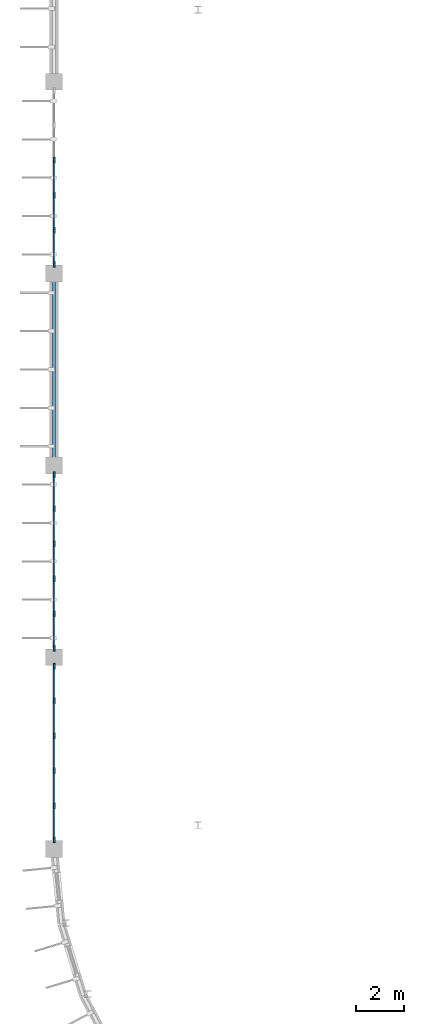
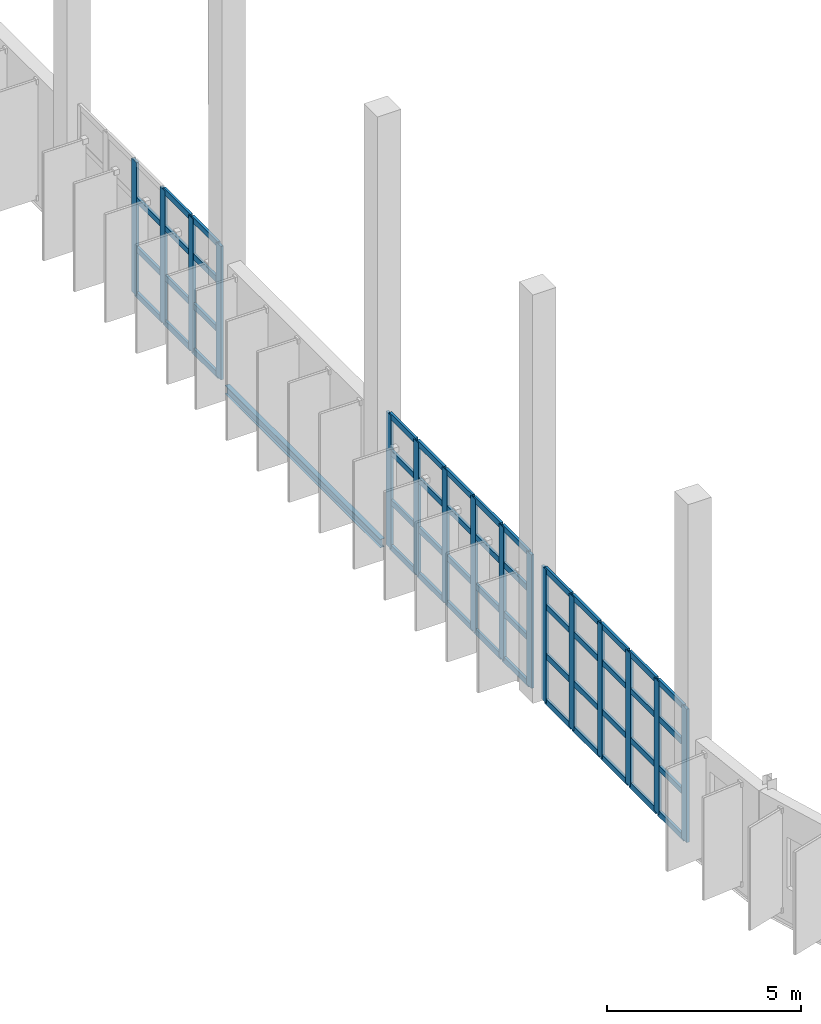
# One storey, part 10 of 66: 67 members, 1 beam, 3 elements without a shape of their own.
"""IFC4 building model written with IfcOpenShell, lengths in metres."""

import ifcopenshell
import ifcopenshell.guid

model = None  # the IFC model being written
_history = None  # IfcOwnerHistory: only IFC2X3 demands one
_inside = {}  # id of a spatial element -> (the spatial element, [elements in it])
_under = {}  # id of a project, library or spatial element -> (it, [spatial elements below it])
_declared = {}  # id of a project -> (the project, [libraries it declares])
_typed = {}  # id of a type object -> (the type object, [elements of that type])
_made_of = {}  # id of a material, layer set ... -> (it, [elements and type objects made of it])


def new_model(schema):
    """Start an empty IFC model of exactly this schema.

    Asked for "IFC4X3", IfcOpenShell would pick the latest addendum, in which some entities
    have other attributes; the version numbers below select the first issue.
    IFC2X3 requires an IfcOwnerHistory on every rooted entity: one is made here for all.
    """
    global model, _history
    if schema == "IFC4X3":
        model = ifcopenshell.file(schema_version=(4, 3, 0, 0))
    else:
        model = ifcopenshell.file(schema=schema)
    _inside.clear()
    _under.clear()
    _declared.clear()
    _typed.clear()
    _made_of.clear()
    _history = None
    if model.schema == "IFC2X3":
        org = make("IfcOrganization", Name="unknown")
        user = make(
            "IfcPersonAndOrganization",
            ThePerson=make("IfcPerson", FamilyName="unknown"),
            TheOrganization=org,
        )
        app = make(
            "IfcApplication",
            ApplicationDeveloper=org,
            Version="unknown",
            ApplicationFullName="unknown",
            ApplicationIdentifier="unknown",
        )
        _history = make(
            "IfcOwnerHistory",
            OwningUser=user,
            OwningApplication=app,
            ChangeAction="ADDED",
            CreationDate=0,
        )
    return model


def make(cls, **values):
    """One entity of the class cls with the attributes given. An attribute that is None is left unset."""
    return model.create_entity(
        cls, **{name: value for name, value in values.items() if value is not None}
    )


def rooted(cls, **values):
    """An entity with a GlobalId (a new one), such as an element, a storey or a relation."""
    return make(cls, GlobalId=ifcopenshell.guid.new(), OwnerHistory=_history, **values)


def si_unit(unit_type, name, prefix=None):
    """IfcSIUnit, for example si_unit("LENGTHUNIT", "METRE", prefix="MILLI")."""
    return make("IfcSIUnit", UnitType=unit_type, Prefix=prefix, Name=name)


def assignment(units):
    """IfcUnitAssignment: the units of a project."""
    return None if units is None else make("IfcUnitAssignment", Units=units)


def point(xyz):
    """IfcCartesianPoint."""
    return None if xyz is None else make("IfcCartesianPoint", Coordinates=xyz)


def direction(xyz):
    """IfcDirection."""
    return None if xyz is None else make("IfcDirection", DirectionRatios=xyz)


def frame(location, z_axis=None, x_axis=None):
    """IfcAxis2Placement3D, a coordinate frame: its origin and axes. An axis left out is left unset."""
    return make(
        "IfcAxis2Placement3D",
        Location=point(location),
        Axis=direction(z_axis),
        RefDirection=direction(x_axis),
    )


def frame_2d(location, x_axis=None):
    """IfcAxis2Placement2D, a coordinate frame in the plane: its origin and x axis."""
    return make(
        "IfcAxis2Placement2D", Location=point(location), RefDirection=direction(x_axis)
    )


def origin():
    """The frame at (0, 0, 0) with its axes left unset."""
    return frame((0.0, 0.0, 0.0))


def origin_2d():
    """The frame at (0, 0) in the plane with its x axis left unset."""
    return frame_2d((0.0, 0.0))


def place(relative_to, where):
    """IfcLocalPlacement: puts the frame where relative to a parent placement (None: the world)."""
    return make(
        "IfcLocalPlacement", PlacementRelTo=relative_to, RelativePlacement=where
    )


def context(
    kind, dimensions, precision=None, world=None, true_north=None, identifier=None
):
    """IfcGeometricRepresentationContext, for example the 3D "Model" context."""
    return make(
        "IfcGeometricRepresentationContext",
        ContextIdentifier=identifier,
        ContextType=kind,
        CoordinateSpaceDimension=dimensions,
        Precision=precision,
        WorldCoordinateSystem=world,
        TrueNorth=true_north,
    )


def subcontext(parent, identifier, kind, view, scale=None):
    """IfcGeometricRepresentationSubContext, for example "Body" below "Model"."""
    return make(
        "IfcGeometricRepresentationSubContext",
        ContextIdentifier=identifier,
        ContextType=kind,
        ParentContext=parent,
        TargetScale=scale,
        TargetView=view,
    )


def project(units=None, contexts=None):
    """IfcProject with its units and contexts."""
    return rooted(
        "IfcProject",
        Name="project",
        RepresentationContexts=contexts,
        UnitsInContext=assignment(units),
    )


def spatial(cls, under=None, at=None, **own):
    """A site, building, storey or space (cls), placed at a placement, below another one or the project."""
    s = rooted(cls, ObjectPlacement=at, **own)
    if under is not None:
        _under.setdefault(under.id(), (under, []))[1].append(s)
    return s


def profile(cls, at=None, kind="AREA", **sizes):
    """A parametric profile (cls). Its sizes go by their IFC names, for example OverallWidth=200.0."""
    return make(cls, ProfileType=kind, Position=at, **sizes)


def rectangle(**sizes):
    """IfcRectangleProfileDef."""
    return profile("IfcRectangleProfileDef", **sizes)


def i_section(**sizes):
    """IfcIShapeProfileDef."""
    return profile("IfcIShapeProfileDef", **sizes)


def extrude(swept, where, along, depth):
    """IfcExtrudedAreaSolid: the profile swept, set in the frame where, extruded along a direction by depth."""
    return make(
        "IfcExtrudedAreaSolid",
        SweptArea=swept,
        Position=where,
        ExtrudedDirection=direction(along),
        Depth=depth,
    )


def shape(context_of_items, identifier, shape_type, items):
    """IfcShapeRepresentation: the items that make up one representation, for example the "Body"."""
    return make(
        "IfcShapeRepresentation",
        ContextOfItems=context_of_items,
        RepresentationIdentifier=identifier,
        RepresentationType=shape_type,
        Items=items,
    )


def material(Name=None, Category=None):
    """IfcMaterial."""
    return make("IfcMaterial", Name=Name, Category=Category)


def layer(
    of_material, thickness, ventilated=None, Name=None, Category=None, Priority=None
):
    """IfcMaterialLayer: one layer of a wall or slab, of a material (None: an air gap)."""
    return make(
        "IfcMaterialLayer",
        Material=of_material,
        LayerThickness=thickness,
        IsVentilated=ventilated,
        Name=Name,
        Category=Category,
        Priority=Priority,
    )


def layer_set(layers, Name=None):
    """IfcMaterialLayerSet."""
    return make("IfcMaterialLayerSet", MaterialLayers=layers, LayerSetName=Name)


def material_profile(
    of_material, cross_section, Name=None, Category=None, Priority=None
):
    """IfcMaterialProfile: a cross section and its material."""
    return make(
        "IfcMaterialProfile",
        Name=Name,
        Material=of_material,
        Profile=cross_section,
        Priority=Priority,
        Category=Category,
    )


def profile_set(profiles, Name=None, composite=None):
    """IfcMaterialProfileSet."""
    return make(
        "IfcMaterialProfileSet",
        Name=Name,
        MaterialProfiles=profiles,
        CompositeProfile=composite,
    )


def made_of(thing, what):
    """Note that an element or type object is made of a material, layer set ...; save() writes the relation."""
    if what is not None:
        _made_of.setdefault(what.id(), (what, []))[1].append(thing)
    return thing


def type_object(cls, material=None, **own):
    """A type object (cls), such as IfcWallType, which elements share."""
    return made_of(rooted(cls, **own), material)


def element(
    cls,
    number,
    at=None,
    inside=None,
    cuts=None,
    type_object=None,
    material=None,
    context=None,
    identifier="Body",
    shape_type=None,
    held_by="IfcProductDefinitionShape",
    body=None,
    shapes=None,
    **own,
):
    """One element of the class cls, such as IfcWall. Its Tag is "e" and its number.

    at: its placement. inside: the storey or other place that contains it. cuts: it is an
    opening in that element (IfcRelVoidsElement). A single representation is given by context,
    identifier, shape_type and body (its items); several are given by shapes. held_by: the class
    of the entity that holds the representations. save() writes the other relations.
    """
    e = rooted(cls, Tag="e%d" % number, ObjectPlacement=at, **own)
    if body is not None:
        shapes = [shape(context, identifier, shape_type, body)]
    if shapes is not None:
        e.Representation = make(held_by, Representations=shapes)
    if inside is not None:
        _inside.setdefault(inside.id(), (inside, []))[1].append(e)
    if cuts is not None:
        rooted(
            "IfcRelVoidsElement", RelatingBuildingElement=cuts, RelatedOpeningElement=e
        )
    if type_object is not None:
        _typed.setdefault(type_object.id(), (type_object, []))[1].append(e)
    return made_of(e, material)


def aggregate(whole, parts):
    """IfcRelAggregates: a whole, such as a stair, and the parts it consists of."""
    return rooted("IfcRelAggregates", RelatingObject=whole, RelatedObjects=parts)


def save(model, path):
    """Write the relations noted so far, then the file.

    IfcRelAggregates (storeys below a building ...), IfcRelContainedInSpatialStructure (elements
    in a storey), IfcRelDefinesByType, IfcRelAssociatesMaterial and IfcRelDeclares: one each for
    every whole, place, type object, material and project.
    """
    for whole, parts in _under.values():
        aggregate(whole, parts)
    for where, things in _inside.values():
        rooted(
            "IfcRelContainedInSpatialStructure",
            RelatedElements=things,
            RelatingStructure=where,
        )
    for kind, things in _typed.values():
        rooted("IfcRelDefinesByType", RelatedObjects=things, RelatingType=kind)
    for what, things in _made_of.values():
        rooted("IfcRelAssociatesMaterial", RelatedObjects=things, RelatingMaterial=what)
    for by, libraries in _declared.values():
        rooted("IfcRelDeclares", RelatingContext=by, RelatedDefinitions=libraries)
    model.write(path)


model = new_model("IFC4")

# Units and contexts
model_context = context("Model", 3, precision=1e-05, world=origin(), true_north=direction((0.0, 1.0)))
body_context = subcontext(model_context, "Body", "Model", "MODEL_VIEW")
ifc_project = project(units=[si_unit("LENGTHUNIT", "METRE"), si_unit("AREAUNIT", "SQUARE_METRE"), si_unit("VOLUMEUNIT", "CUBIC_METRE"), si_unit("PLANEANGLEUNIT", "RADIAN"), si_unit("MASSUNIT", "GRAM", prefix="KILO")], contexts=[model_context])

# Site, building, storey
site_placement = place(None, origin())
site = spatial("IfcSite", under=ifc_project, at=site_placement, CompositionType="ELEMENT")
building_placement = place(site_placement, origin())
building = spatial("IfcBuilding", under=site, at=building_placement, Name="Drelvana Railside Aquatics Centre", CompositionType="ELEMENT")
storey_placement = place(building_placement, frame((0.0, 0.0, 10.199951171875)))
storey = spatial("IfcBuildingStorey", under=building, at=storey_placement, Name="L02", CompositionType="ELEMENT", Elevation=10.199951171875)

# Curtain wall, members
ifc_material_1 = material(Name="Bronze-anodised aluminium curtain wall", Category="aluminium")
ifc_layer = layer(ifc_material_1, 0.219970703125, Name="Bronze-anodised aluminium curtain wall")
ifc_layer_set = layer_set([ifc_layer], Name="Bronze-anodised aluminium curtain wall")
curtain_wall_type = type_object("IfcCurtainWallType", Name="CW-Z3-HIGH", PredefinedType="NOTDEFINED", material=ifc_layer_set)
curtain_wall_1_placement = place(storey_placement, origin())
curtain_wall_1 = element("IfcCurtainWall", 1, at=curtain_wall_1_placement, inside=storey, type_object=curtain_wall_type, Name="Curtain wall CW-03-043", PredefinedType="NOTDEFINED")
ifc_material_2 = material(Name="Bronze-anodised aluminium 6063-T6", Category="aluminium")
ifc_material_profile_1 = material_profile(ifc_material_2, rectangle(XDim=0.080078125, YDim=0.25, at=origin_2d()), Name="ALU-M 80x250")
ifc_profile_set_1 = profile_set([ifc_material_profile_1], Name="Bronze-anodised aluminium 6063-T6")
member_type_1 = type_object("IfcMemberType", Name="CW-Z3-HIGH-MUL", PredefinedType="MULLION", material=ifc_profile_set_1)
member_1_placement = place(storey_placement, frame((0.0, 32.384033203125, -0.005859375), z_axis=(0.0, 0.0, 1.0), x_axis=(-1.0, 0.0, 0.0)))
member_1 = element("IfcMember", 2, at=member_1_placement, type_object=member_type_1, Name="CW-03 mullion 1", PredefinedType="MULLION", context=body_context, shape_type="SweptSolid", body=[
    extrude(rectangle(XDim=0.080078125, YDim=0.25, at=origin_2d()), origin(), (0.0, 0.0, 1.0), 4.19580078125),
])
member_2_placement = place(storey_placement, frame((0.0, 33.806396484375, -0.005859375), z_axis=(0.0, 0.0, 1.0), x_axis=(-1.0, 0.0, 0.0)))
member_2 = element("IfcMember", 3, at=member_2_placement, type_object=member_type_1, Name="CW-03 mullion 2", PredefinedType="MULLION", context=body_context, shape_type="SweptSolid", body=[
    extrude(rectangle(XDim=0.080078125, YDim=0.25, at=origin_2d()), origin(), (0.0, 0.0, 1.0), 4.19580078125),
])
member_3_placement = place(storey_placement, frame((0.0, 35.268798828125, -0.005859375), z_axis=(0.0, 0.0, 1.0), x_axis=(-1.0, 0.0, 0.0)))
member_3 = element("IfcMember", 4, at=member_3_placement, type_object=member_type_1, Name="CW-03 mullion 3", PredefinedType="MULLION", context=body_context, shape_type="SweptSolid", body=[
    extrude(rectangle(XDim=0.080078125, YDim=0.25, at=origin_2d()), origin(), (0.0, 0.0, 1.0), 4.19580078125),
])
member_4_placement = place(storey_placement, frame((0.0, 36.731201171875, -0.005859375), z_axis=(0.0, 0.0, 1.0), x_axis=(-1.0, 0.0, 0.0)))
member_4 = element("IfcMember", 5, at=member_4_placement, type_object=member_type_1, Name="CW-03 mullion 4", PredefinedType="MULLION", context=body_context, shape_type="SweptSolid", body=[
    extrude(rectangle(XDim=0.080078125, YDim=0.25, at=origin_2d()), origin(), (0.0, 0.0, 1.0), 4.19580078125),
])
member_5_placement = place(storey_placement, frame((0.0, 38.193603515625, -0.005859375), z_axis=(0.0, 0.0, 1.0), x_axis=(-1.0, 0.0, 0.0)))
member_5 = element("IfcMember", 6, at=member_5_placement, type_object=member_type_1, Name="CW-03 mullion 5", PredefinedType="MULLION", context=body_context, shape_type="SweptSolid", body=[
    extrude(rectangle(XDim=0.080078125, YDim=0.25, at=origin_2d()), origin(), (0.0, 0.0, 1.0), 4.19580078125),
])
member_6_placement = place(storey_placement, frame((0.0, 39.615966796875, -0.005859375), z_axis=(0.0, 0.0, 1.0), x_axis=(-1.0, 0.0, 0.0)))
member_6 = element("IfcMember", 7, at=member_6_placement, type_object=member_type_1, Name="CW-03 mullion 6", PredefinedType="MULLION", context=body_context, shape_type="SweptSolid", body=[
    extrude(rectangle(XDim=0.080078125, YDim=0.25, at=origin_2d()), origin(), (0.0, 0.0, 1.0), 4.19580078125),
])

curtain_wall_2_placement = place(storey_placement, origin())
curtain_wall_2 = element("IfcCurtainWall", 8, at=curtain_wall_2_placement, inside=storey, type_object=curtain_wall_type, Name="Curtain wall CW-03-047", PredefinedType="NOTDEFINED")
member_7_placement = place(storey_placement, frame((0.0, 40.384033203125, -0.005859375), z_axis=(0.0, 0.0, 1.0), x_axis=(-1.0, 0.0, 0.0)))
member_7 = element("IfcMember", 9, at=member_7_placement, type_object=member_type_1, Name="CW-03 mullion 1", PredefinedType="MULLION", context=body_context, shape_type="SweptSolid", body=[
    extrude(rectangle(XDim=0.080078125, YDim=0.25, at=origin_2d()), origin(), (0.0, 0.0, 1.0), 4.19580078125),
])
member_8_placement = place(storey_placement, frame((0.0, 41.806396484375, -0.005859375), z_axis=(0.0, 0.0, 1.0), x_axis=(-1.0, 0.0, 0.0)))
member_8 = element("IfcMember", 10, at=member_8_placement, type_object=member_type_1, Name="CW-03 mullion 2", PredefinedType="MULLION", context=body_context, shape_type="SweptSolid", body=[
    extrude(rectangle(XDim=0.080078125, YDim=0.25, at=origin_2d()), origin(), (0.0, 0.0, 1.0), 4.19580078125),
])
member_9_placement = place(storey_placement, frame((0.0, 43.268798828125, -0.005859375), z_axis=(0.0, 0.0, 1.0), x_axis=(-1.0, 0.0, 0.0)))
member_9 = element("IfcMember", 11, at=member_9_placement, type_object=member_type_1, Name="CW-03 mullion 3", PredefinedType="MULLION", context=body_context, shape_type="SweptSolid", body=[
    extrude(rectangle(XDim=0.080078125, YDim=0.25, at=origin_2d()), origin(), (0.0, 0.0, 1.0), 4.19580078125),
])
member_10_placement = place(storey_placement, frame((0.0, 44.731201171875, -0.005859375), z_axis=(0.0, 0.0, 1.0), x_axis=(-1.0, 0.0, 0.0)))
member_10 = element("IfcMember", 12, at=member_10_placement, type_object=member_type_1, Name="CW-03 mullion 4", PredefinedType="MULLION", context=body_context, shape_type="SweptSolid", body=[
    extrude(rectangle(XDim=0.080078125, YDim=0.25, at=origin_2d()), origin(), (0.0, 0.0, 1.0), 4.19580078125),
])
member_11_placement = place(storey_placement, frame((0.0, 46.193603515625, -0.005859375), z_axis=(0.0, 0.0, 1.0), x_axis=(-1.0, 0.0, 0.0)))
member_11 = element("IfcMember", 13, at=member_11_placement, type_object=member_type_1, Name="CW-03 mullion 5", PredefinedType="MULLION", context=body_context, shape_type="SweptSolid", body=[
    extrude(rectangle(XDim=0.080078125, YDim=0.25, at=origin_2d()), origin(), (0.0, 0.0, 1.0), 4.19580078125),
])
member_12_placement = place(storey_placement, frame((0.0, 47.615966796875, -0.005859375), z_axis=(0.0, 0.0, 1.0), x_axis=(-1.0, 0.0, 0.0)))
member_12 = element("IfcMember", 14, at=member_12_placement, type_object=member_type_1, Name="CW-03 mullion 6", PredefinedType="MULLION", context=body_context, shape_type="SweptSolid", body=[
    extrude(rectangle(XDim=0.080078125, YDim=0.25, at=origin_2d()), origin(), (0.0, 0.0, 1.0), 4.19580078125),
])

curtain_wall_3_placement = place(storey_placement, origin())
curtain_wall_3 = element("IfcCurtainWall", 15, at=curtain_wall_3_placement, inside=storey, type_object=curtain_wall_type, Name="Curtain wall CW-03-052", PredefinedType="NOTDEFINED")
member_13_placement = place(storey_placement, frame((0.0, 56.384033203125, -0.005859375), z_axis=(0.0, 0.0, 1.0), x_axis=(-1.0, 0.0, 0.0)))
member_13 = element("IfcMember", 16, at=member_13_placement, type_object=member_type_1, Name="CW-03 mullion 1", PredefinedType="MULLION", context=body_context, shape_type="SweptSolid", body=[
    extrude(rectangle(XDim=0.080078125, YDim=0.25, at=origin_2d()), origin(), (0.0, 0.0, 1.0), 4.19580078125),
])
member_14_placement = place(storey_placement, frame((0.0, 57.806396484375, -0.005859375), z_axis=(0.0, 0.0, 1.0), x_axis=(-1.0, 0.0, 0.0)))
member_14 = element("IfcMember", 17, at=member_14_placement, type_object=member_type_1, Name="CW-03 mullion 2", PredefinedType="MULLION", context=body_context, shape_type="SweptSolid", body=[
    extrude(rectangle(XDim=0.080078125, YDim=0.25, at=origin_2d()), origin(), (0.0, 0.0, 1.0), 4.19580078125),
])
member_15_placement = place(storey_placement, frame((0.0, 59.268798828125, -0.005859375), z_axis=(0.0, 0.0, 1.0), x_axis=(-1.0, 0.0, 0.0)))
member_15 = element("IfcMember", 18, at=member_15_placement, type_object=member_type_1, Name="CW-03 mullion 3", PredefinedType="MULLION", context=body_context, shape_type="SweptSolid", body=[
    extrude(rectangle(XDim=0.080078125, YDim=0.25, at=origin_2d()), origin(), (0.0, 0.0, 1.0), 4.19580078125),
])
member_16_placement = place(storey_placement, frame((0.0, 60.731201171875, -0.005859375), z_axis=(0.0, 0.0, 1.0), x_axis=(-1.0, 0.0, 0.0)))
member_16 = element("IfcMember", 19, at=member_16_placement, type_object=member_type_1, Name="CW-03 mullion 4", PredefinedType="MULLION", context=body_context, shape_type="SweptSolid", body=[
    extrude(rectangle(XDim=0.080078125, YDim=0.25, at=origin_2d()), origin(), (0.0, 0.0, 1.0), 4.19580078125),
])

# Member
ifc_material_profile_2 = material_profile(ifc_material_2, rectangle(XDim=0.179931640625, YDim=0.074951171875, at=origin_2d()), Name="ALU-T 75x180")
ifc_profile_set_2 = profile_set([ifc_material_profile_2], Name="Bronze-anodised aluminium 6063-T6")
member_type_2 = type_object("IfcMemberType", Name="CW-Z3-HIGH-TRN", PredefinedType="USERDEFINED", material=ifc_profile_set_2)
member_17_placement = place(storey_placement, frame((0.0, 32.4189453125, 0.031494140625), z_axis=(0.0, 1.0, 0.0), x_axis=(0.0, 0.0, 1.0)))
member_17 = element("IfcMember", 20, at=member_17_placement, type_object=member_type_2, Name="CW-03 transom 1.1", ObjectType="TRANSOM", PredefinedType="USERDEFINED", context=body_context, shape_type="SweptSolid", body=[
    extrude(rectangle(XDim=0.179931640625, YDim=0.074951171875, at=origin_2d()), origin(), (0.0, 0.0, 1.0), 1.3525390625),
])

member_18_placement = place(storey_placement, frame((0.0, 32.4189453125, 1.463134765625), z_axis=(0.0, 1.0, 0.0), x_axis=(0.0, 0.0, 1.0)))
member_18 = element("IfcMember", 21, at=member_18_placement, type_object=member_type_2, Name="CW-03 transom 1.2", ObjectType="TRANSOM", PredefinedType="USERDEFINED", context=body_context, shape_type="SweptSolid", body=[
    extrude(rectangle(XDim=0.179931640625, YDim=0.074951171875, at=origin_2d()), origin(), (0.0, 0.0, 1.0), 1.3525390625),
])

member_19_placement = place(storey_placement, frame((0.0, 32.4189453125, 3.01513671875), z_axis=(0.0, 1.0, 0.0), x_axis=(0.0, 0.0, 1.0)))
member_19 = element("IfcMember", 22, at=member_19_placement, type_object=member_type_2, Name="CW-03 transom 1.3", ObjectType="TRANSOM", PredefinedType="USERDEFINED", context=body_context, shape_type="SweptSolid", body=[
    extrude(rectangle(XDim=0.179931640625, YDim=0.074951171875, at=origin_2d()), origin(), (0.0, 0.0, 1.0), 1.3525390625),
])

member_20_placement = place(storey_placement, frame((0.0, 32.4189453125, 4.152587890625), z_axis=(0.0, 1.0, 0.0), x_axis=(0.0, 0.0, 1.0)))
member_20 = element("IfcMember", 23, at=member_20_placement, type_object=member_type_2, Name="CW-03 transom 1.4", ObjectType="TRANSOM", PredefinedType="USERDEFINED", context=body_context, shape_type="SweptSolid", body=[
    extrude(rectangle(XDim=0.179931640625, YDim=0.074951171875, at=origin_2d()), origin(), (0.0, 0.0, 1.0), 1.3525390625),
])

member_21_placement = place(storey_placement, frame((0.0, 33.84130859375, 0.031494140625), z_axis=(0.0, 1.0, 0.0), x_axis=(0.0, 0.0, 1.0)))
member_21 = element("IfcMember", 24, at=member_21_placement, type_object=member_type_2, Name="CW-03 transom 2.1", ObjectType="TRANSOM", PredefinedType="USERDEFINED", context=body_context, shape_type="SweptSolid", body=[
    extrude(rectangle(XDim=0.179931640625, YDim=0.074951171875, at=origin_2d()), origin(), (0.0, 0.0, 1.0), 1.392578125),
])

member_22_placement = place(storey_placement, frame((0.0, 33.84130859375, 1.463134765625), z_axis=(0.0, 1.0, 0.0), x_axis=(0.0, 0.0, 1.0)))
member_22 = element("IfcMember", 25, at=member_22_placement, type_object=member_type_2, Name="CW-03 transom 2.2", ObjectType="TRANSOM", PredefinedType="USERDEFINED", context=body_context, shape_type="SweptSolid", body=[
    extrude(rectangle(XDim=0.179931640625, YDim=0.074951171875, at=origin_2d()), origin(), (0.0, 0.0, 1.0), 1.392578125),
])

member_23_placement = place(storey_placement, frame((0.0, 33.84130859375, 3.01513671875), z_axis=(0.0, 1.0, 0.0), x_axis=(0.0, 0.0, 1.0)))
member_23 = element("IfcMember", 26, at=member_23_placement, type_object=member_type_2, Name="CW-03 transom 2.3", ObjectType="TRANSOM", PredefinedType="USERDEFINED", context=body_context, shape_type="SweptSolid", body=[
    extrude(rectangle(XDim=0.179931640625, YDim=0.074951171875, at=origin_2d()), origin(), (0.0, 0.0, 1.0), 1.392578125),
])

member_24_placement = place(storey_placement, frame((0.0, 33.84130859375, 4.152587890625), z_axis=(0.0, 1.0, 0.0), x_axis=(0.0, 0.0, 1.0)))
member_24 = element("IfcMember", 27, at=member_24_placement, type_object=member_type_2, Name="CW-03 transom 2.4", ObjectType="TRANSOM", PredefinedType="USERDEFINED", context=body_context, shape_type="SweptSolid", body=[
    extrude(rectangle(XDim=0.179931640625, YDim=0.074951171875, at=origin_2d()), origin(), (0.0, 0.0, 1.0), 1.392578125),
])

member_25_placement = place(storey_placement, frame((0.0, 35.3037109375, 0.031494140625), z_axis=(0.0, 1.0, 0.0), x_axis=(0.0, 0.0, 1.0)))
member_25 = element("IfcMember", 28, at=member_25_placement, type_object=member_type_2, Name="CW-03 transom 3.1", ObjectType="TRANSOM", PredefinedType="USERDEFINED", context=body_context, shape_type="SweptSolid", body=[
    extrude(rectangle(XDim=0.179931640625, YDim=0.074951171875, at=origin_2d()), origin(), (0.0, 0.0, 1.0), 1.392578125),
])

member_26_placement = place(storey_placement, frame((0.0, 35.3037109375, 1.463134765625), z_axis=(0.0, 1.0, 0.0), x_axis=(0.0, 0.0, 1.0)))
member_26 = element("IfcMember", 29, at=member_26_placement, type_object=member_type_2, Name="CW-03 transom 3.2", ObjectType="TRANSOM", PredefinedType="USERDEFINED", context=body_context, shape_type="SweptSolid", body=[
    extrude(rectangle(XDim=0.179931640625, YDim=0.074951171875, at=origin_2d()), origin(), (0.0, 0.0, 1.0), 1.392578125),
])

member_27_placement = place(storey_placement, frame((0.0, 35.3037109375, 3.01513671875), z_axis=(0.0, 1.0, 0.0), x_axis=(0.0, 0.0, 1.0)))
member_27 = element("IfcMember", 30, at=member_27_placement, type_object=member_type_2, Name="CW-03 transom 3.3", ObjectType="TRANSOM", PredefinedType="USERDEFINED", context=body_context, shape_type="SweptSolid", body=[
    extrude(rectangle(XDim=0.179931640625, YDim=0.074951171875, at=origin_2d()), origin(), (0.0, 0.0, 1.0), 1.392578125),
])

member_28_placement = place(storey_placement, frame((0.0, 35.3037109375, 4.152587890625), z_axis=(0.0, 1.0, 0.0), x_axis=(0.0, 0.0, 1.0)))
member_28 = element("IfcMember", 31, at=member_28_placement, type_object=member_type_2, Name="CW-03 transom 3.4", ObjectType="TRANSOM", PredefinedType="USERDEFINED", context=body_context, shape_type="SweptSolid", body=[
    extrude(rectangle(XDim=0.179931640625, YDim=0.074951171875, at=origin_2d()), origin(), (0.0, 0.0, 1.0), 1.392578125),
])

member_29_placement = place(storey_placement, frame((0.0, 36.76611328125, 0.031494140625), z_axis=(0.0, 1.0, 0.0), x_axis=(0.0, 0.0, 1.0)))
member_29 = element("IfcMember", 32, at=member_29_placement, type_object=member_type_2, Name="CW-03 transom 4.1", ObjectType="TRANSOM", PredefinedType="USERDEFINED", context=body_context, shape_type="SweptSolid", body=[
    extrude(rectangle(XDim=0.179931640625, YDim=0.074951171875, at=origin_2d()), origin(), (0.0, 0.0, 1.0), 1.392578125),
])

member_30_placement = place(storey_placement, frame((0.0, 36.76611328125, 1.463134765625), z_axis=(0.0, 1.0, 0.0), x_axis=(0.0, 0.0, 1.0)))
member_30 = element("IfcMember", 33, at=member_30_placement, type_object=member_type_2, Name="CW-03 transom 4.2", ObjectType="TRANSOM", PredefinedType="USERDEFINED", context=body_context, shape_type="SweptSolid", body=[
    extrude(rectangle(XDim=0.179931640625, YDim=0.074951171875, at=origin_2d()), origin(), (0.0, 0.0, 1.0), 1.392578125),
])

member_31_placement = place(storey_placement, frame((0.0, 36.76611328125, 3.01513671875), z_axis=(0.0, 1.0, 0.0), x_axis=(0.0, 0.0, 1.0)))
member_31 = element("IfcMember", 34, at=member_31_placement, type_object=member_type_2, Name="CW-03 transom 4.3", ObjectType="TRANSOM", PredefinedType="USERDEFINED", context=body_context, shape_type="SweptSolid", body=[
    extrude(rectangle(XDim=0.179931640625, YDim=0.074951171875, at=origin_2d()), origin(), (0.0, 0.0, 1.0), 1.392578125),
])

member_32_placement = place(storey_placement, frame((0.0, 36.76611328125, 4.152587890625), z_axis=(0.0, 1.0, 0.0), x_axis=(0.0, 0.0, 1.0)))
member_32 = element("IfcMember", 35, at=member_32_placement, type_object=member_type_2, Name="CW-03 transom 4.4", ObjectType="TRANSOM", PredefinedType="USERDEFINED", context=body_context, shape_type="SweptSolid", body=[
    extrude(rectangle(XDim=0.179931640625, YDim=0.074951171875, at=origin_2d()), origin(), (0.0, 0.0, 1.0), 1.392578125),
])

member_33_placement = place(storey_placement, frame((0.0, 38.228515625, 0.031494140625), z_axis=(0.0, 1.0, 0.0), x_axis=(0.0, 0.0, 1.0)))
member_33 = element("IfcMember", 36, at=member_33_placement, type_object=member_type_2, Name="CW-03 transom 5.1", ObjectType="TRANSOM", PredefinedType="USERDEFINED", context=body_context, shape_type="SweptSolid", body=[
    extrude(rectangle(XDim=0.179931640625, YDim=0.074951171875, at=origin_2d()), origin(), (0.0, 0.0, 1.0), 1.3525390625),
])

member_34_placement = place(storey_placement, frame((0.0, 38.228515625, 1.463134765625), z_axis=(0.0, 1.0, 0.0), x_axis=(0.0, 0.0, 1.0)))
member_34 = element("IfcMember", 37, at=member_34_placement, type_object=member_type_2, Name="CW-03 transom 5.2", ObjectType="TRANSOM", PredefinedType="USERDEFINED", context=body_context, shape_type="SweptSolid", body=[
    extrude(rectangle(XDim=0.179931640625, YDim=0.074951171875, at=origin_2d()), origin(), (0.0, 0.0, 1.0), 1.3525390625),
])

member_35_placement = place(storey_placement, frame((0.0, 38.228515625, 3.01513671875), z_axis=(0.0, 1.0, 0.0), x_axis=(0.0, 0.0, 1.0)))
member_35 = element("IfcMember", 38, at=member_35_placement, type_object=member_type_2, Name="CW-03 transom 5.3", ObjectType="TRANSOM", PredefinedType="USERDEFINED", context=body_context, shape_type="SweptSolid", body=[
    extrude(rectangle(XDim=0.179931640625, YDim=0.074951171875, at=origin_2d()), origin(), (0.0, 0.0, 1.0), 1.3525390625),
])

member_36_placement = place(storey_placement, frame((0.0, 38.228515625, 4.152587890625), z_axis=(0.0, 1.0, 0.0), x_axis=(0.0, 0.0, 1.0)))
member_36 = element("IfcMember", 39, at=member_36_placement, type_object=member_type_2, Name="CW-03 transom 5.4", ObjectType="TRANSOM", PredefinedType="USERDEFINED", context=body_context, shape_type="SweptSolid", body=[
    extrude(rectangle(XDim=0.179931640625, YDim=0.074951171875, at=origin_2d()), origin(), (0.0, 0.0, 1.0), 1.3525390625),
])

aggregate(curtain_wall_1, [member_1, member_2, member_3, member_4, member_5, member_6, member_17, member_18, member_19, member_20, member_21, member_22, member_23, member_24, member_25, member_26, member_27, member_28, member_29, member_30, member_31, member_32, member_33, member_34, member_35, member_36])

member_37_placement = place(storey_placement, frame((0.0, 40.4189453125, 0.031494140625), z_axis=(0.0, 1.0, 0.0), x_axis=(0.0, 0.0, 1.0)))
member_37 = element("IfcMember", 40, at=member_37_placement, type_object=member_type_2, Name="CW-03 transom 1.1", ObjectType="TRANSOM", PredefinedType="USERDEFINED", context=body_context, shape_type="SweptSolid", body=[
    extrude(rectangle(XDim=0.179931640625, YDim=0.074951171875, at=origin_2d()), origin(), (0.0, 0.0, 1.0), 1.3525390625),
])

member_38_placement = place(storey_placement, frame((0.0, 40.4189453125, 1.463134765625), z_axis=(0.0, 1.0, 0.0), x_axis=(0.0, 0.0, 1.0)))
member_38 = element("IfcMember", 41, at=member_38_placement, type_object=member_type_2, Name="CW-03 transom 1.2", ObjectType="TRANSOM", PredefinedType="USERDEFINED", context=body_context, shape_type="SweptSolid", body=[
    extrude(rectangle(XDim=0.179931640625, YDim=0.074951171875, at=origin_2d()), origin(), (0.0, 0.0, 1.0), 1.3525390625),
])

member_39_placement = place(storey_placement, frame((0.0, 40.4189453125, 3.01513671875), z_axis=(0.0, 1.0, 0.0), x_axis=(0.0, 0.0, 1.0)))
member_39 = element("IfcMember", 42, at=member_39_placement, type_object=member_type_2, Name="CW-03 transom 1.3", ObjectType="TRANSOM", PredefinedType="USERDEFINED", context=body_context, shape_type="SweptSolid", body=[
    extrude(rectangle(XDim=0.179931640625, YDim=0.074951171875, at=origin_2d()), origin(), (0.0, 0.0, 1.0), 1.3525390625),
])

member_40_placement = place(storey_placement, frame((0.0, 40.4189453125, 4.152587890625), z_axis=(0.0, 1.0, 0.0), x_axis=(0.0, 0.0, 1.0)))
member_40 = element("IfcMember", 43, at=member_40_placement, type_object=member_type_2, Name="CW-03 transom 1.4", ObjectType="TRANSOM", PredefinedType="USERDEFINED", context=body_context, shape_type="SweptSolid", body=[
    extrude(rectangle(XDim=0.179931640625, YDim=0.074951171875, at=origin_2d()), origin(), (0.0, 0.0, 1.0), 1.3525390625),
])

member_41_placement = place(storey_placement, frame((0.0, 41.84130859375, 0.031494140625), z_axis=(0.0, 1.0, 0.0), x_axis=(0.0, 0.0, 1.0)))
member_41 = element("IfcMember", 44, at=member_41_placement, type_object=member_type_2, Name="CW-03 transom 2.1", ObjectType="TRANSOM", PredefinedType="USERDEFINED", context=body_context, shape_type="SweptSolid", body=[
    extrude(rectangle(XDim=0.179931640625, YDim=0.074951171875, at=origin_2d()), origin(), (0.0, 0.0, 1.0), 1.392578125),
])

member_42_placement = place(storey_placement, frame((0.0, 41.84130859375, 1.463134765625), z_axis=(0.0, 1.0, 0.0), x_axis=(0.0, 0.0, 1.0)))
member_42 = element("IfcMember", 45, at=member_42_placement, type_object=member_type_2, Name="CW-03 transom 2.2", ObjectType="TRANSOM", PredefinedType="USERDEFINED", context=body_context, shape_type="SweptSolid", body=[
    extrude(rectangle(XDim=0.179931640625, YDim=0.074951171875, at=origin_2d()), origin(), (0.0, 0.0, 1.0), 1.392578125),
])

member_43_placement = place(storey_placement, frame((0.0, 41.84130859375, 3.01513671875), z_axis=(0.0, 1.0, 0.0), x_axis=(0.0, 0.0, 1.0)))
member_43 = element("IfcMember", 46, at=member_43_placement, type_object=member_type_2, Name="CW-03 transom 2.3", ObjectType="TRANSOM", PredefinedType="USERDEFINED", context=body_context, shape_type="SweptSolid", body=[
    extrude(rectangle(XDim=0.179931640625, YDim=0.074951171875, at=origin_2d()), origin(), (0.0, 0.0, 1.0), 1.392578125),
])

member_44_placement = place(storey_placement, frame((0.0, 41.84130859375, 4.152587890625), z_axis=(0.0, 1.0, 0.0), x_axis=(0.0, 0.0, 1.0)))
member_44 = element("IfcMember", 47, at=member_44_placement, type_object=member_type_2, Name="CW-03 transom 2.4", ObjectType="TRANSOM", PredefinedType="USERDEFINED", context=body_context, shape_type="SweptSolid", body=[
    extrude(rectangle(XDim=0.179931640625, YDim=0.074951171875, at=origin_2d()), origin(), (0.0, 0.0, 1.0), 1.392578125),
])

member_45_placement = place(storey_placement, frame((0.0, 43.3037109375, 0.031494140625), z_axis=(0.0, 1.0, 0.0), x_axis=(0.0, 0.0, 1.0)))
member_45 = element("IfcMember", 48, at=member_45_placement, type_object=member_type_2, Name="CW-03 transom 3.1", ObjectType="TRANSOM", PredefinedType="USERDEFINED", context=body_context, shape_type="SweptSolid", body=[
    extrude(rectangle(XDim=0.179931640625, YDim=0.074951171875, at=origin_2d()), origin(), (0.0, 0.0, 1.0), 1.392578125),
])

member_46_placement = place(storey_placement, frame((0.0, 43.3037109375, 1.463134765625), z_axis=(0.0, 1.0, 0.0), x_axis=(0.0, 0.0, 1.0)))
member_46 = element("IfcMember", 49, at=member_46_placement, type_object=member_type_2, Name="CW-03 transom 3.2", ObjectType="TRANSOM", PredefinedType="USERDEFINED", context=body_context, shape_type="SweptSolid", body=[
    extrude(rectangle(XDim=0.179931640625, YDim=0.074951171875, at=origin_2d()), origin(), (0.0, 0.0, 1.0), 1.392578125),
])

member_47_placement = place(storey_placement, frame((0.0, 43.3037109375, 3.01513671875), z_axis=(0.0, 1.0, 0.0), x_axis=(0.0, 0.0, 1.0)))
member_47 = element("IfcMember", 50, at=member_47_placement, type_object=member_type_2, Name="CW-03 transom 3.3", ObjectType="TRANSOM", PredefinedType="USERDEFINED", context=body_context, shape_type="SweptSolid", body=[
    extrude(rectangle(XDim=0.179931640625, YDim=0.074951171875, at=origin_2d()), origin(), (0.0, 0.0, 1.0), 1.392578125),
])

member_48_placement = place(storey_placement, frame((0.0, 43.3037109375, 4.152587890625), z_axis=(0.0, 1.0, 0.0), x_axis=(0.0, 0.0, 1.0)))
member_48 = element("IfcMember", 51, at=member_48_placement, type_object=member_type_2, Name="CW-03 transom 3.4", ObjectType="TRANSOM", PredefinedType="USERDEFINED", context=body_context, shape_type="SweptSolid", body=[
    extrude(rectangle(XDim=0.179931640625, YDim=0.074951171875, at=origin_2d()), origin(), (0.0, 0.0, 1.0), 1.392578125),
])

member_49_placement = place(storey_placement, frame((0.0, 44.76611328125, 0.031494140625), z_axis=(0.0, 1.0, 0.0), x_axis=(0.0, 0.0, 1.0)))
member_49 = element("IfcMember", 52, at=member_49_placement, type_object=member_type_2, Name="CW-03 transom 4.1", ObjectType="TRANSOM", PredefinedType="USERDEFINED", context=body_context, shape_type="SweptSolid", body=[
    extrude(rectangle(XDim=0.179931640625, YDim=0.074951171875, at=origin_2d()), origin(), (0.0, 0.0, 1.0), 1.392578125),
])

member_50_placement = place(storey_placement, frame((0.0, 44.76611328125, 1.463134765625), z_axis=(0.0, 1.0, 0.0), x_axis=(0.0, 0.0, 1.0)))
member_50 = element("IfcMember", 53, at=member_50_placement, type_object=member_type_2, Name="CW-03 transom 4.2", ObjectType="TRANSOM", PredefinedType="USERDEFINED", context=body_context, shape_type="SweptSolid", body=[
    extrude(rectangle(XDim=0.179931640625, YDim=0.074951171875, at=origin_2d()), origin(), (0.0, 0.0, 1.0), 1.392578125),
])

member_51_placement = place(storey_placement, frame((0.0, 44.76611328125, 3.01513671875), z_axis=(0.0, 1.0, 0.0), x_axis=(0.0, 0.0, 1.0)))
member_51 = element("IfcMember", 54, at=member_51_placement, type_object=member_type_2, Name="CW-03 transom 4.3", ObjectType="TRANSOM", PredefinedType="USERDEFINED", context=body_context, shape_type="SweptSolid", body=[
    extrude(rectangle(XDim=0.179931640625, YDim=0.074951171875, at=origin_2d()), origin(), (0.0, 0.0, 1.0), 1.392578125),
])

member_52_placement = place(storey_placement, frame((0.0, 44.76611328125, 4.152587890625), z_axis=(0.0, 1.0, 0.0), x_axis=(0.0, 0.0, 1.0)))
member_52 = element("IfcMember", 55, at=member_52_placement, type_object=member_type_2, Name="CW-03 transom 4.4", ObjectType="TRANSOM", PredefinedType="USERDEFINED", context=body_context, shape_type="SweptSolid", body=[
    extrude(rectangle(XDim=0.179931640625, YDim=0.074951171875, at=origin_2d()), origin(), (0.0, 0.0, 1.0), 1.392578125),
])

member_53_placement = place(storey_placement, frame((0.0, 46.228515625, 0.031494140625), z_axis=(0.0, 1.0, 0.0), x_axis=(0.0, 0.0, 1.0)))
member_53 = element("IfcMember", 56, at=member_53_placement, type_object=member_type_2, Name="CW-03 transom 5.1", ObjectType="TRANSOM", PredefinedType="USERDEFINED", context=body_context, shape_type="SweptSolid", body=[
    extrude(rectangle(XDim=0.179931640625, YDim=0.074951171875, at=origin_2d()), origin(), (0.0, 0.0, 1.0), 1.3525390625),
])

member_54_placement = place(storey_placement, frame((0.0, 46.228515625, 1.463134765625), z_axis=(0.0, 1.0, 0.0), x_axis=(0.0, 0.0, 1.0)))
member_54 = element("IfcMember", 57, at=member_54_placement, type_object=member_type_2, Name="CW-03 transom 5.2", ObjectType="TRANSOM", PredefinedType="USERDEFINED", context=body_context, shape_type="SweptSolid", body=[
    extrude(rectangle(XDim=0.179931640625, YDim=0.074951171875, at=origin_2d()), origin(), (0.0, 0.0, 1.0), 1.3525390625),
])

member_55_placement = place(storey_placement, frame((0.0, 46.228515625, 3.01513671875), z_axis=(0.0, 1.0, 0.0), x_axis=(0.0, 0.0, 1.0)))
member_55 = element("IfcMember", 58, at=member_55_placement, type_object=member_type_2, Name="CW-03 transom 5.3", ObjectType="TRANSOM", PredefinedType="USERDEFINED", context=body_context, shape_type="SweptSolid", body=[
    extrude(rectangle(XDim=0.179931640625, YDim=0.074951171875, at=origin_2d()), origin(), (0.0, 0.0, 1.0), 1.3525390625),
])

member_56_placement = place(storey_placement, frame((0.0, 46.228515625, 4.152587890625), z_axis=(0.0, 1.0, 0.0), x_axis=(0.0, 0.0, 1.0)))
member_56 = element("IfcMember", 59, at=member_56_placement, type_object=member_type_2, Name="CW-03 transom 5.4", ObjectType="TRANSOM", PredefinedType="USERDEFINED", context=body_context, shape_type="SweptSolid", body=[
    extrude(rectangle(XDim=0.179931640625, YDim=0.074951171875, at=origin_2d()), origin(), (0.0, 0.0, 1.0), 1.3525390625),
])

aggregate(curtain_wall_2, [member_7, member_8, member_9, member_10, member_11, member_12, member_37, member_38, member_39, member_40, member_41, member_42, member_43, member_44, member_45, member_46, member_47, member_48, member_49, member_50, member_51, member_52, member_53, member_54, member_55, member_56])

member_57_placement = place(storey_placement, frame((0.0, 56.4189453125, 0.031494140625), z_axis=(0.0, 1.0, 0.0), x_axis=(0.0, 0.0, 1.0)))
member_57 = element("IfcMember", 60, at=member_57_placement, type_object=member_type_2, Name="CW-03 transom 1.1", ObjectType="TRANSOM", PredefinedType="USERDEFINED", context=body_context, shape_type="SweptSolid", body=[
    extrude(rectangle(XDim=0.179931640625, YDim=0.074951171875, at=origin_2d()), origin(), (0.0, 0.0, 1.0), 1.3525390625),
])

member_58_placement = place(storey_placement, frame((0.0, 56.4189453125, 1.463134765625), z_axis=(0.0, 1.0, 0.0), x_axis=(0.0, 0.0, 1.0)))
member_58 = element("IfcMember", 61, at=member_58_placement, type_object=member_type_2, Name="CW-03 transom 1.2", ObjectType="TRANSOM", PredefinedType="USERDEFINED", context=body_context, shape_type="SweptSolid", body=[
    extrude(rectangle(XDim=0.179931640625, YDim=0.074951171875, at=origin_2d()), origin(), (0.0, 0.0, 1.0), 1.3525390625),
])

member_59_placement = place(storey_placement, frame((0.0, 56.4189453125, 3.01513671875), z_axis=(0.0, 1.0, 0.0), x_axis=(0.0, 0.0, 1.0)))
member_59 = element("IfcMember", 62, at=member_59_placement, type_object=member_type_2, Name="CW-03 transom 1.3", ObjectType="TRANSOM", PredefinedType="USERDEFINED", context=body_context, shape_type="SweptSolid", body=[
    extrude(rectangle(XDim=0.179931640625, YDim=0.074951171875, at=origin_2d()), origin(), (0.0, 0.0, 1.0), 1.3525390625),
])

member_60_placement = place(storey_placement, frame((0.0, 56.4189453125, 4.152587890625), z_axis=(0.0, 1.0, 0.0), x_axis=(0.0, 0.0, 1.0)))
member_60 = element("IfcMember", 63, at=member_60_placement, type_object=member_type_2, Name="CW-03 transom 1.4", ObjectType="TRANSOM", PredefinedType="USERDEFINED", context=body_context, shape_type="SweptSolid", body=[
    extrude(rectangle(XDim=0.179931640625, YDim=0.074951171875, at=origin_2d()), origin(), (0.0, 0.0, 1.0), 1.3525390625),
])

member_61_placement = place(storey_placement, frame((0.0, 57.84130859375, 0.031494140625), z_axis=(0.0, 1.0, 0.0), x_axis=(0.0, 0.0, 1.0)))
member_61 = element("IfcMember", 64, at=member_61_placement, type_object=member_type_2, Name="CW-03 transom 2.1", ObjectType="TRANSOM", PredefinedType="USERDEFINED", context=body_context, shape_type="SweptSolid", body=[
    extrude(rectangle(XDim=0.179931640625, YDim=0.074951171875, at=origin_2d()), origin(), (0.0, 0.0, 1.0), 1.392578125),
])

member_62_placement = place(storey_placement, frame((0.0, 57.84130859375, 1.463134765625), z_axis=(0.0, 1.0, 0.0), x_axis=(0.0, 0.0, 1.0)))
member_62 = element("IfcMember", 65, at=member_62_placement, type_object=member_type_2, Name="CW-03 transom 2.2", ObjectType="TRANSOM", PredefinedType="USERDEFINED", context=body_context, shape_type="SweptSolid", body=[
    extrude(rectangle(XDim=0.179931640625, YDim=0.074951171875, at=origin_2d()), origin(), (0.0, 0.0, 1.0), 1.392578125),
])

member_63_placement = place(storey_placement, frame((0.0, 57.84130859375, 3.01513671875), z_axis=(0.0, 1.0, 0.0), x_axis=(0.0, 0.0, 1.0)))
member_63 = element("IfcMember", 66, at=member_63_placement, type_object=member_type_2, Name="CW-03 transom 2.3", ObjectType="TRANSOM", PredefinedType="USERDEFINED", context=body_context, shape_type="SweptSolid", body=[
    extrude(rectangle(XDim=0.179931640625, YDim=0.074951171875, at=origin_2d()), origin(), (0.0, 0.0, 1.0), 1.392578125),
])

member_64_placement = place(storey_placement, frame((0.0, 57.84130859375, 4.152587890625), z_axis=(0.0, 1.0, 0.0), x_axis=(0.0, 0.0, 1.0)))
member_64 = element("IfcMember", 67, at=member_64_placement, type_object=member_type_2, Name="CW-03 transom 2.4", ObjectType="TRANSOM", PredefinedType="USERDEFINED", context=body_context, shape_type="SweptSolid", body=[
    extrude(rectangle(XDim=0.179931640625, YDim=0.074951171875, at=origin_2d()), origin(), (0.0, 0.0, 1.0), 1.392578125),
])

member_65_placement = place(storey_placement, frame((0.0, 59.3037109375, 0.031494140625), z_axis=(0.0, 1.0, 0.0), x_axis=(0.0, 0.0, 1.0)))
member_65 = element("IfcMember", 68, at=member_65_placement, type_object=member_type_2, Name="CW-03 transom 3.1", ObjectType="TRANSOM", PredefinedType="USERDEFINED", context=body_context, shape_type="SweptSolid", body=[
    extrude(rectangle(XDim=0.179931640625, YDim=0.074951171875, at=origin_2d()), origin(), (0.0, 0.0, 1.0), 1.392578125),
])

member_66_placement = place(storey_placement, frame((0.0, 59.3037109375, 1.463134765625), z_axis=(0.0, 1.0, 0.0), x_axis=(0.0, 0.0, 1.0)))
member_66 = element("IfcMember", 69, at=member_66_placement, type_object=member_type_2, Name="CW-03 transom 3.2", ObjectType="TRANSOM", PredefinedType="USERDEFINED", context=body_context, shape_type="SweptSolid", body=[
    extrude(rectangle(XDim=0.179931640625, YDim=0.074951171875, at=origin_2d()), origin(), (0.0, 0.0, 1.0), 1.392578125),
])

member_67_placement = place(storey_placement, frame((0.0, 59.3037109375, 3.01513671875), z_axis=(0.0, 1.0, 0.0), x_axis=(0.0, 0.0, 1.0)))
member_67 = element("IfcMember", 70, at=member_67_placement, type_object=member_type_2, Name="CW-03 transom 3.3", ObjectType="TRANSOM", PredefinedType="USERDEFINED", context=body_context, shape_type="SweptSolid", body=[
    extrude(rectangle(XDim=0.179931640625, YDim=0.074951171875, at=origin_2d()), origin(), (0.0, 0.0, 1.0), 1.392578125),
])

aggregate(curtain_wall_3, [member_13, member_14, member_15, member_16, member_57, member_58, member_59, member_60, member_61, member_62, member_63, member_64, member_65, member_66, member_67])

# Beam
ifc_material_3 = material(Name="Structural steel S355", Category="steel")
ifc_material_profile_3 = material_profile(ifc_material_3, i_section(OverallWidth=0.135009765625, OverallDepth=0.27001953125, WebThickness=0.006591796875, FlangeThickness=0.01025390625, at=origin_2d()), Name="IPE 270")
ifc_profile_set_3 = profile_set([ifc_material_profile_3], Name="Structural steel S355")
beam_type = type_object("IfcBeamType", Name="STR-SBM-SJ-02-IPE-270", PredefinedType="JOIST", material=ifc_profile_set_3)
beam_placement = place(storey_placement, frame((0.0, 48.0, -0.135009765625), z_axis=(0.0, 1.0, 0.0), x_axis=(-1.0, 0.0, 0.0)))
element("IfcBeam", 71, at=beam_placement, inside=storey, type_object=beam_type, Name="V1 West L02 masonry girt 48", PredefinedType="JOIST", context=body_context, shape_type="SweptSolid", body=[
    extrude(i_section(OverallWidth=0.135009765625, OverallDepth=0.27001953125, WebThickness=0.006591796875, FlangeThickness=0.01025390625, at=origin_2d()), origin(), (0.0, 0.0, 1.0), 8.0),
])

save(model, "model.ifc")
